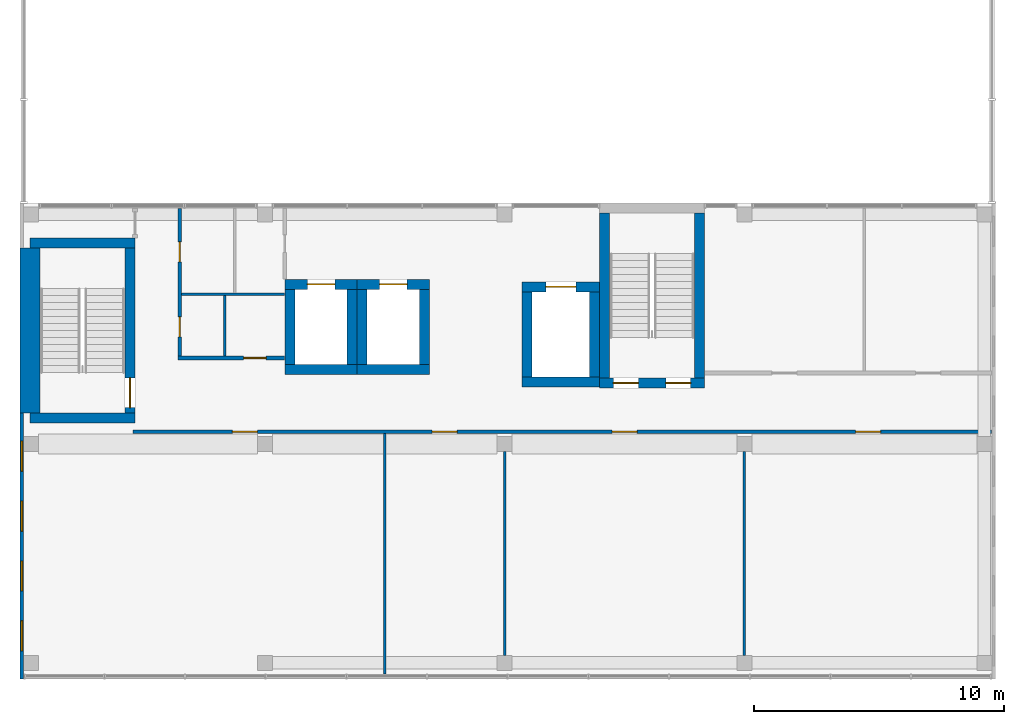
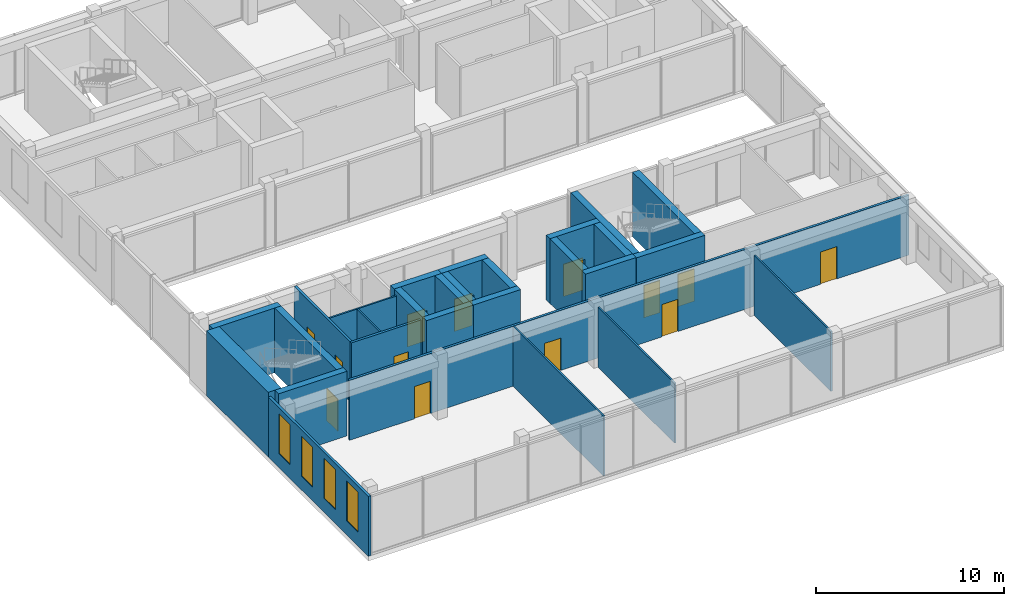
# One storey, part 19 of 28: 28 walls, 13 doors, 4 windows, 17 openings.
"""IFC4 building model written with IfcOpenShell, lengths in metres."""

import ifcopenshell
import ifcopenshell.guid

model = None  # the IFC model being written
_history = None  # IfcOwnerHistory: only IFC2X3 demands one
_inside = {}  # id of a spatial element -> (the spatial element, [elements in it])
_under = {}  # id of a project, library or spatial element -> (it, [spatial elements below it])
_declared = {}  # id of a project -> (the project, [libraries it declares])
_typed = {}  # id of a type object -> (the type object, [elements of that type])
_made_of = {}  # id of a material, layer set ... -> (it, [elements and type objects made of it])


def new_model(schema):
    """Start an empty IFC model of exactly this schema.

    Asked for "IFC4X3", IfcOpenShell would pick the latest addendum, in which some entities
    have other attributes; the version numbers below select the first issue.
    IFC2X3 requires an IfcOwnerHistory on every rooted entity: one is made here for all.
    """
    global model, _history
    if schema == "IFC4X3":
        model = ifcopenshell.file(schema_version=(4, 3, 0, 0))
    else:
        model = ifcopenshell.file(schema=schema)
    _inside.clear()
    _under.clear()
    _declared.clear()
    _typed.clear()
    _made_of.clear()
    _history = None
    if model.schema == "IFC2X3":
        org = make("IfcOrganization", Name="unknown")
        user = make(
            "IfcPersonAndOrganization",
            ThePerson=make("IfcPerson", FamilyName="unknown"),
            TheOrganization=org,
        )
        app = make(
            "IfcApplication",
            ApplicationDeveloper=org,
            Version="unknown",
            ApplicationFullName="unknown",
            ApplicationIdentifier="unknown",
        )
        _history = make(
            "IfcOwnerHistory",
            OwningUser=user,
            OwningApplication=app,
            ChangeAction="ADDED",
            CreationDate=0,
        )
    return model


def make(cls, **values):
    """One entity of the class cls with the attributes given. An attribute that is None is left unset."""
    return model.create_entity(
        cls, **{name: value for name, value in values.items() if value is not None}
    )


def rooted(cls, **values):
    """An entity with a GlobalId (a new one), such as an element, a storey or a relation."""
    return make(cls, GlobalId=ifcopenshell.guid.new(), OwnerHistory=_history, **values)


def si_unit(unit_type, name, prefix=None):
    """IfcSIUnit, for example si_unit("LENGTHUNIT", "METRE", prefix="MILLI")."""
    return make("IfcSIUnit", UnitType=unit_type, Prefix=prefix, Name=name)


def assignment(units):
    """IfcUnitAssignment: the units of a project."""
    return None if units is None else make("IfcUnitAssignment", Units=units)


def point(xyz):
    """IfcCartesianPoint."""
    return None if xyz is None else make("IfcCartesianPoint", Coordinates=xyz)


def direction(xyz):
    """IfcDirection."""
    return None if xyz is None else make("IfcDirection", DirectionRatios=xyz)


def frame(location, z_axis=None, x_axis=None):
    """IfcAxis2Placement3D, a coordinate frame: its origin and axes. An axis left out is left unset."""
    return make(
        "IfcAxis2Placement3D",
        Location=point(location),
        Axis=direction(z_axis),
        RefDirection=direction(x_axis),
    )


def frame_2d(location, x_axis=None):
    """IfcAxis2Placement2D, a coordinate frame in the plane: its origin and x axis."""
    return make(
        "IfcAxis2Placement2D", Location=point(location), RefDirection=direction(x_axis)
    )


def origin():
    """The frame at (0, 0, 0) with its axes left unset."""
    return frame((0.0, 0.0, 0.0))


def place(relative_to, where):
    """IfcLocalPlacement: puts the frame where relative to a parent placement (None: the world)."""
    return make(
        "IfcLocalPlacement", PlacementRelTo=relative_to, RelativePlacement=where
    )


def context(
    kind, dimensions, precision=None, world=None, true_north=None, identifier=None
):
    """IfcGeometricRepresentationContext, for example the 3D "Model" context."""
    return make(
        "IfcGeometricRepresentationContext",
        ContextIdentifier=identifier,
        ContextType=kind,
        CoordinateSpaceDimension=dimensions,
        Precision=precision,
        WorldCoordinateSystem=world,
        TrueNorth=true_north,
    )


def subcontext(parent, identifier, kind, view, scale=None):
    """IfcGeometricRepresentationSubContext, for example "Body" below "Model"."""
    return make(
        "IfcGeometricRepresentationSubContext",
        ContextIdentifier=identifier,
        ContextType=kind,
        ParentContext=parent,
        TargetScale=scale,
        TargetView=view,
    )


def project(units=None, contexts=None):
    """IfcProject with its units and contexts."""
    return rooted(
        "IfcProject",
        Name="project",
        RepresentationContexts=contexts,
        UnitsInContext=assignment(units),
    )


def spatial(cls, under=None, at=None, **own):
    """A site, building, storey or space (cls), placed at a placement, below another one or the project."""
    s = rooted(cls, ObjectPlacement=at, **own)
    if under is not None:
        _under.setdefault(under.id(), (under, []))[1].append(s)
    return s


def profile(cls, at=None, kind="AREA", **sizes):
    """A parametric profile (cls). Its sizes go by their IFC names, for example OverallWidth=200.0."""
    return make(cls, ProfileType=kind, Position=at, **sizes)


def rectangle(**sizes):
    """IfcRectangleProfileDef."""
    return profile("IfcRectangleProfileDef", **sizes)


def extrude(swept, where, along, depth):
    """IfcExtrudedAreaSolid: the profile swept, set in the frame where, extruded along a direction by depth."""
    return make(
        "IfcExtrudedAreaSolid",
        SweptArea=swept,
        Position=where,
        ExtrudedDirection=direction(along),
        Depth=depth,
    )


def shape(context_of_items, identifier, shape_type, items):
    """IfcShapeRepresentation: the items that make up one representation, for example the "Body"."""
    return make(
        "IfcShapeRepresentation",
        ContextOfItems=context_of_items,
        RepresentationIdentifier=identifier,
        RepresentationType=shape_type,
        Items=items,
    )


def material(Name=None, Category=None):
    """IfcMaterial."""
    return make("IfcMaterial", Name=Name, Category=Category)


def layer(
    of_material, thickness, ventilated=None, Name=None, Category=None, Priority=None
):
    """IfcMaterialLayer: one layer of a wall or slab, of a material (None: an air gap)."""
    return make(
        "IfcMaterialLayer",
        Material=of_material,
        LayerThickness=thickness,
        IsVentilated=ventilated,
        Name=Name,
        Category=Category,
        Priority=Priority,
    )


def layer_set(layers, Name=None):
    """IfcMaterialLayerSet."""
    return make("IfcMaterialLayerSet", MaterialLayers=layers, LayerSetName=Name)


def layer_usage(for_layer_set, set_direction, sense, offset, extent=None):
    """IfcMaterialLayerSetUsage: how a layer set lies in its element."""
    return make(
        "IfcMaterialLayerSetUsage",
        ForLayerSet=for_layer_set,
        LayerSetDirection=set_direction,
        DirectionSense=sense,
        OffsetFromReferenceLine=offset,
        ReferenceExtent=extent,
    )


def made_of(thing, what):
    """Note that an element or type object is made of a material, layer set ...; save() writes the relation."""
    if what is not None:
        _made_of.setdefault(what.id(), (what, []))[1].append(thing)
    return thing


def type_object(cls, material=None, **own):
    """A type object (cls), such as IfcWallType, which elements share."""
    return made_of(rooted(cls, **own), material)


def element(
    cls,
    number,
    at=None,
    inside=None,
    cuts=None,
    type_object=None,
    material=None,
    context=None,
    identifier="Body",
    shape_type=None,
    held_by="IfcProductDefinitionShape",
    body=None,
    shapes=None,
    **own,
):
    """One element of the class cls, such as IfcWall. Its Tag is "e" and its number.

    at: its placement. inside: the storey or other place that contains it. cuts: it is an
    opening in that element (IfcRelVoidsElement). A single representation is given by context,
    identifier, shape_type and body (its items); several are given by shapes. held_by: the class
    of the entity that holds the representations. save() writes the other relations.
    """
    e = rooted(cls, Tag="e%d" % number, ObjectPlacement=at, **own)
    if body is not None:
        shapes = [shape(context, identifier, shape_type, body)]
    if shapes is not None:
        e.Representation = make(held_by, Representations=shapes)
    if inside is not None:
        _inside.setdefault(inside.id(), (inside, []))[1].append(e)
    if cuts is not None:
        rooted(
            "IfcRelVoidsElement", RelatingBuildingElement=cuts, RelatedOpeningElement=e
        )
    if type_object is not None:
        _typed.setdefault(type_object.id(), (type_object, []))[1].append(e)
    return made_of(e, material)


def fill(opening, filler):
    """IfcRelFillsElement: the door or window that sits in an opening."""
    return rooted(
        "IfcRelFillsElement",
        RelatingOpeningElement=opening,
        RelatedBuildingElement=filler,
    )


def aggregate(whole, parts):
    """IfcRelAggregates: a whole, such as a stair, and the parts it consists of."""
    return rooted("IfcRelAggregates", RelatingObject=whole, RelatedObjects=parts)


def save(model, path):
    """Write the relations noted so far, then the file.

    IfcRelAggregates (storeys below a building ...), IfcRelContainedInSpatialStructure (elements
    in a storey), IfcRelDefinesByType, IfcRelAssociatesMaterial and IfcRelDeclares: one each for
    every whole, place, type object, material and project.
    """
    for whole, parts in _under.values():
        aggregate(whole, parts)
    for where, things in _inside.values():
        rooted(
            "IfcRelContainedInSpatialStructure",
            RelatedElements=things,
            RelatingStructure=where,
        )
    for kind, things in _typed.values():
        rooted("IfcRelDefinesByType", RelatedObjects=things, RelatingType=kind)
    for what, things in _made_of.values():
        rooted("IfcRelAssociatesMaterial", RelatedObjects=things, RelatingMaterial=what)
    for by, libraries in _declared.values():
        rooted("IfcRelDeclares", RelatingContext=by, RelatedDefinitions=libraries)
    model.write(path)


model = new_model("IFC4")

# Units and contexts
model_context = context("Model", 3, precision=1e-05, world=origin(), true_north=direction((0.0, 1.0)))
body_context = subcontext(model_context, "Body", "Model", "MODEL_VIEW")
ifc_project = project(units=[si_unit("LENGTHUNIT", "METRE"), si_unit("AREAUNIT", "SQUARE_METRE"), si_unit("VOLUMEUNIT", "CUBIC_METRE"), si_unit("PLANEANGLEUNIT", "RADIAN"), si_unit("MASSUNIT", "GRAM", prefix="KILO")], contexts=[model_context])

# Site, building, storey
site_placement = place(None, origin())
site = spatial("IfcSite", under=ifc_project, at=site_placement, CompositionType="ELEMENT")
building_placement = place(site_placement, origin())
building = spatial("IfcBuilding", under=site, at=building_placement, Name="Nzadi Deep Aquarium and Research Tower", CompositionType="ELEMENT")
storey_placement = place(building_placement, frame((0.0, 0.0, 73.89990234375)))
storey = spatial("IfcBuildingStorey", under=building, at=storey_placement, Name="L15", CompositionType="ELEMENT", Elevation=73.89990234375)

# Wall, openings, windows
ifc_material_1 = material(Name="Graphite aluminium shingle", Category="aluminium")
ifc_layer_1 = layer(ifc_material_1, 0.0400390625, Category="cladding")
ifc_material_2 = material(Name="Concrete C35/45", Category="concrete")
ifc_layer_2 = layer(ifc_material_2, 0.06005859375, Category="cladding")
ifc_material_3 = material(Name="Mineral wool insulation")
ifc_layer_3 = layer(ifc_material_3, 0.050048828125, Category="insulation")
ifc_layer_set_1 = layer_set([ifc_layer_1, ifc_layer_2, ifc_layer_3], Name="Graphite aluminium shingle, Concrete C35/45, Mineral wool insulation")
ifc_layer_usage = layer_usage(ifc_layer_set_1, "AXIS2", "POSITIVE", -0.074951171875)
wall_type_1 = type_object("IfcWallType", Name="End wall shingle over board-formed concrete 150", PredefinedType="ELEMENTEDWALL", material=ifc_layer_set_1)
wall_1_placement = place(storey_placement, frame((-0.12451171875, 10.449951171875, 0.0), z_axis=(0.0, 0.0, 1.0), x_axis=(0.0, -1.0, 0.0)))
wall_1 = element("IfcWall", 1, at=wall_1_placement, inside=storey, type_object=wall_type_1, material=ifc_layer_usage, Name="End wall blade A west L15", PredefinedType="ELEMENTEDWALL", context=body_context, shape_type="SweptSolid", body=[
    extrude(rectangle(XDim=10.64990234375, YDim=0.14990234375, at=frame_2d((5.324951171875, 0.0))), origin(), (0.0, 0.0, 1.0), 3.900146484375),
])
opening_1_placement = place(wall_1_placement, frame((8.324951171875, 0.0, 0.89990234375)))
opening_1 = element("IfcOpeningElement", 2, at=opening_1_placement, cuts=wall_1, Name="Opening WN04", PredefinedType="OPENING", context=body_context, shape_type="SweptSolid", body=[
    extrude(rectangle(XDim=1.199951171875, YDim=2.60009765625, at=frame_2d((0.60009765625, 1.300048828125))), frame((0.0, 0.0849609375, 0.0), z_axis=(0.0, -1.0, 0.0), x_axis=(1.0, 0.0, 0.0)), (0.0, 0.0, 1.0), 0.169921875),
])
opening_2_placement = place(wall_1_placement, frame((5.925048828125, 0.0, 0.89990234375)))
opening_2 = element("IfcOpeningElement", 3, at=opening_2_placement, cuts=wall_1, Name="Opening WN04", PredefinedType="OPENING", context=body_context, shape_type="SweptSolid", body=[
    extrude(rectangle(XDim=1.199951171875, YDim=2.60009765625, at=frame_2d((0.60009765625, 1.300048828125))), frame((0.0, 0.0849609375, 0.0), z_axis=(0.0, -1.0, 0.0), x_axis=(1.0, 0.0, 0.0)), (0.0, 0.0, 1.0), 0.169921875),
])
opening_3_placement = place(wall_1_placement, frame((3.52490234375, 0.0, 0.89990234375)))
opening_3 = element("IfcOpeningElement", 4, at=opening_3_placement, cuts=wall_1, Name="Opening WN04", PredefinedType="OPENING", context=body_context, shape_type="SweptSolid", body=[
    extrude(rectangle(XDim=1.199951171875, YDim=2.60009765625, at=frame_2d((0.60009765625, 1.300048828125))), frame((0.0, 0.0849609375, 0.0), z_axis=(0.0, -1.0, 0.0), x_axis=(1.0, 0.0, 0.0)), (0.0, 0.0, 1.0), 0.169921875),
])
opening_4_placement = place(wall_1_placement, frame((1.125, 0.0, 0.89990234375)))
opening_4 = element("IfcOpeningElement", 5, at=opening_4_placement, cuts=wall_1, Name="Opening WN04", PredefinedType="OPENING", context=body_context, shape_type="SweptSolid", body=[
    extrude(rectangle(XDim=1.199951171875, YDim=2.60009765625, at=frame_2d((0.60009765625, 1.300048828125))), frame((0.0, 0.0849609375, 0.0), z_axis=(0.0, -1.0, 0.0), x_axis=(1.0, 0.0, 0.0)), (0.0, 0.0, 1.0), 0.169921875),
])
ifc_material_4 = material(Name="Aluminium window, sage tint glazing", Category="aluminium")
window_type = type_object("IfcWindowType", Name="Slot window 1200x2600 sill 900", PartitioningType="SINGLE_PANEL", PredefinedType="WINDOW", material=ifc_material_4)
window_1_placement = place(opening_1_placement, origin())
window_1 = element("IfcWindow", 6, at=window_1_placement, inside=storey, type_object=window_type, Name="Slot window L15 AW", OverallHeight=2.60009765625, OverallWidth=1.199951171875, PartitioningType="SINGLE_PANEL", PredefinedType="WINDOW", context=body_context, shape_type="SweptSolid", body=[
    extrude(rectangle(XDim=1.199951171875, YDim=2.60009765625, at=frame_2d((0.60009765625, 1.300048828125))), frame((0.0, 0.030029296875, 0.0), z_axis=(0.0, -1.0, 0.0), x_axis=(1.0, 0.0, 0.0)), (0.0, 0.0, 1.0), 0.06005859375),
])
fill(opening_1, window_1)
window_2_placement = place(opening_2_placement, origin())
window_2 = element("IfcWindow", 7, at=window_2_placement, inside=storey, type_object=window_type, Name="Slot window L15 AW", OverallHeight=2.60009765625, OverallWidth=1.199951171875, PartitioningType="SINGLE_PANEL", PredefinedType="WINDOW", context=body_context, shape_type="SweptSolid", body=[
    extrude(rectangle(XDim=1.199951171875, YDim=2.60009765625, at=frame_2d((0.60009765625, 1.300048828125))), frame((0.0, 0.030029296875, 0.0), z_axis=(0.0, -1.0, 0.0), x_axis=(1.0, 0.0, 0.0)), (0.0, 0.0, 1.0), 0.06005859375),
])
fill(opening_2, window_2)
window_3_placement = place(opening_3_placement, origin())
window_3 = element("IfcWindow", 8, at=window_3_placement, inside=storey, type_object=window_type, Name="Slot window L15 AW", OverallHeight=2.60009765625, OverallWidth=1.199951171875, PartitioningType="SINGLE_PANEL", PredefinedType="WINDOW", context=body_context, shape_type="SweptSolid", body=[
    extrude(rectangle(XDim=1.199951171875, YDim=2.60009765625, at=frame_2d((0.60009765625, 1.300048828125))), frame((0.0, 0.030029296875, 0.0), z_axis=(0.0, -1.0, 0.0), x_axis=(1.0, 0.0, 0.0)), (0.0, 0.0, 1.0), 0.06005859375),
])
fill(opening_3, window_3)
window_4_placement = place(opening_4_placement, origin())
window_4 = element("IfcWindow", 9, at=window_4_placement, inside=storey, type_object=window_type, Name="Slot window L15 AW", OverallHeight=2.60009765625, OverallWidth=1.199951171875, PartitioningType="SINGLE_PANEL", PredefinedType="WINDOW", context=body_context, shape_type="SweptSolid", body=[
    extrude(rectangle(XDim=1.199951171875, YDim=2.60009765625, at=frame_2d((0.60009765625, 1.300048828125))), frame((0.0, 0.030029296875, 0.0), z_axis=(0.0, -1.0, 0.0), x_axis=(1.0, 0.0, 0.0)), (0.0, 0.0, 1.0), 0.06005859375),
])
fill(opening_4, window_4)

# Walls
ifc_material_5 = material(Name="Blockwork masonry", Category="masonry")
ifc_layer_4 = layer(ifc_material_5, 0.10009765625)
ifc_layer_set_2 = layer_set([ifc_layer_4], Name="Blockwork masonry")
wall_type_2 = type_object("IfcWallType", Name="Partition 100 EI 30", PredefinedType="PARTITIONING", material=ifc_layer_set_2)
wall_2_placement = place(storey_placement, frame((6.27490234375, 15.199951171875, 0.0), z_axis=(0.0, 0.0, 1.0), x_axis=(1.0, 0.0, 0.0)))
element("IfcWall", 10, at=wall_2_placement, inside=storey, type_object=wall_type_2, Name="W-Z1-L15-P010", PredefinedType="PARTITIONING", context=body_context, shape_type="SweptSolid", body=[
    extrude(rectangle(XDim=4.119140625, YDim=0.10009765625, at=frame_2d((2.0595703125, 0.0))), origin(), (0.0, 0.0, 1.0), 3.900146484375),
])
wall_3_placement = place(storey_placement, frame((8.0, 12.72509765625, 0.0), z_axis=(0.0, 0.0, 1.0), x_axis=(0.0, 1.0, 0.0)))
element("IfcWall", 11, at=wall_3_placement, inside=storey, type_object=wall_type_2, Name="W-Z1-L15-P012", PredefinedType="PARTITIONING", context=body_context, shape_type="SweptSolid", body=[
    extrude(rectangle(XDim=2.4248046875, YDim=0.10009765625, at=frame_2d((1.21240234375, 0.0))), origin(), (0.0, 0.0, 1.0), 3.900146484375),
])
wall_4_placement = place(storey_placement, frame((14.39990234375, 0.006103515625, 0.0), z_axis=(0.0, 0.0, 1.0), x_axis=(0.0, 1.0, 0.0)))
element("IfcWall", 12, at=wall_4_placement, inside=storey, type_object=wall_type_2, Name="W-Z1-L15-P023", PredefinedType="PARTITIONING", context=body_context, shape_type="SweptSolid", body=[
    extrude(rectangle(XDim=9.618896484375, YDim=0.10009765625, at=frame_2d((4.8095703125, 0.0))), origin(), (0.0, 0.0, 1.0), 3.900146484375),
])
for number, where, z_axis, x_axis, name in (
    (13, (19.199951171875, 0.75, 0.0), (0.0, 0.0, 1.0), (0.0, 1.0, 0.0), "W-Z1-L15-P025"),
    (14, (28.800048828125, 0.75, 0.0), (0.0, 0.0, 1.0), (0.0, 1.0, 0.0), "W-Z1-L15-P035"),
):
    element("IfcWall", number, at=place(storey_placement, frame(where, z_axis=z_axis, x_axis=x_axis)), inside=storey, type_object=wall_type_2, Name=name, PredefinedType="PARTITIONING", context=body_context, shape_type="SweptSolid", body=[
        extrude(rectangle(XDim=8.14990234375, YDim=0.10009765625, at=frame_2d((4.074951171875, 0.0))), origin(), (0.0, 0.0, 1.0), 3.900146484375),
    ])

# Wall, openings, doors
ifc_material_6 = material(Name="Blockwork masonry", Category="masonry")
ifc_layer_5 = layer(ifc_material_6, 0.14990234375)
ifc_layer_set_3 = layer_set([ifc_layer_5], Name="Blockwork masonry")
wall_type_3 = type_object("IfcWallType", Name="Partition 150 EI 60", PredefinedType="PARTITIONING", material=ifc_layer_set_3)
wall_5_placement = place(storey_placement, frame((4.324951171875, 9.699951171875, 0.0), z_axis=(0.0, 0.0, 1.0), x_axis=(1.0, 0.0, 0.0)))
wall_5 = element("IfcWall", 15, at=wall_5_placement, inside=storey, type_object=wall_type_3, Name="W-Z1-L15-P006", PredefinedType="PARTITIONING", context=body_context, shape_type="SweptSolid", body=[
    extrude(rectangle(XDim=34.369140625, YDim=0.14990234375, at=frame_2d((17.1845703125, 0.0))), origin(), (0.0, 0.0, 1.0), 3.900146484375),
])
opening_5_placement = place(wall_5_placement, frame((3.97509765625, 0.0, 0.0)))
opening_5 = element("IfcOpeningElement", 16, at=opening_5_placement, cuts=wall_5, Name="Opening D161006", PredefinedType="OPENING", context=body_context, shape_type="SweptSolid", body=[
    extrude(rectangle(XDim=1.0, YDim=2.10009765625, at=frame_2d((0.5, 1.050048828125))), frame((0.0, 0.0849609375, 0.0), z_axis=(0.0, -1.0, 0.0), x_axis=(1.0, 0.0, 0.0)), (0.0, 0.0, 1.0), 0.169921875),
])
opening_6_placement = place(wall_5_placement, frame((11.97509765625, 0.0, 0.0)))
opening_6 = element("IfcOpeningElement", 17, at=opening_6_placement, cuts=wall_5, Name="Opening D161007", PredefinedType="OPENING", context=body_context, shape_type="SweptSolid", body=[
    extrude(rectangle(XDim=1.0, YDim=2.10009765625, at=frame_2d((0.5, 1.050048828125))), frame((0.0, 0.0849609375, 0.0), z_axis=(0.0, -1.0, 0.0), x_axis=(1.0, 0.0, 0.0)), (0.0, 0.0, 1.0), 0.169921875),
])
opening_7_placement = place(wall_5_placement, frame((19.175048828125, 0.0, 0.0)))
opening_7 = element("IfcOpeningElement", 18, at=opening_7_placement, cuts=wall_5, Name="Opening D161008", PredefinedType="OPENING", context=body_context, shape_type="SweptSolid", body=[
    extrude(rectangle(XDim=1.0, YDim=2.10009765625, at=frame_2d((0.5, 1.050048828125))), frame((0.0, 0.0849609375, 0.0), z_axis=(0.0, -1.0, 0.0), x_axis=(1.0, 0.0, 0.0)), (0.0, 0.0, 1.0), 0.169921875),
])
opening_8_placement = place(wall_5_placement, frame((28.925048828125, 0.0, 0.0)))
opening_8 = element("IfcOpeningElement", 19, at=opening_8_placement, cuts=wall_5, Name="Opening D161009", PredefinedType="OPENING", context=body_context, shape_type="SweptSolid", body=[
    extrude(rectangle(XDim=1.0, YDim=2.10009765625, at=frame_2d((0.5, 1.050048828125))), frame((0.0, 0.0849609375, 0.0), z_axis=(0.0, -1.0, 0.0), x_axis=(1.0, 0.0, 0.0)), (0.0, 0.0, 1.0), 0.169921875),
])
ifc_material_7 = material(Name="Fire-rated steel door", Category="steel")
ifc_layer_6 = layer(ifc_material_7, 0.050048828125)
ifc_layer_set_4 = layer_set([ifc_layer_6], Name="Fire-rated steel door")
door_type_1 = type_object("IfcDoorType", Name="Door 1000x2100 EI 60 single", OperationType="SINGLE_SWING_LEFT", PredefinedType="DOOR", material=ifc_layer_set_4)
door_1_placement = place(opening_5_placement, origin())
door_1 = element("IfcDoor", 20, at=door_1_placement, inside=storey, type_object=door_type_1, Name="D161006", OperationType="SINGLE_SWING_RIGHT", OverallHeight=2.10009765625, OverallWidth=1.0, PredefinedType="DOOR", context=body_context, shape_type="SweptSolid", body=[
    extrude(rectangle(XDim=1.0, YDim=2.10009765625, at=frame_2d((0.5, 1.050048828125))), frame((0.0, 0.02490234375, 0.0), z_axis=(0.0, -1.0, 0.0), x_axis=(1.0, 0.0, 0.0)), (0.0, 0.0, 1.0), 0.050048828125),
])
fill(opening_5, door_1)
door_2_placement = place(opening_6_placement, origin())
door_2 = element("IfcDoor", 21, at=door_2_placement, inside=storey, type_object=door_type_1, Name="D161007", OperationType="SINGLE_SWING_RIGHT", OverallHeight=2.10009765625, OverallWidth=1.0, PredefinedType="DOOR", context=body_context, shape_type="SweptSolid", body=[
    extrude(rectangle(XDim=1.0, YDim=2.10009765625, at=frame_2d((0.5, 1.050048828125))), frame((0.0, 0.02490234375, 0.0), z_axis=(0.0, -1.0, 0.0), x_axis=(1.0, 0.0, 0.0)), (0.0, 0.0, 1.0), 0.050048828125),
])
fill(opening_6, door_2)
door_3_placement = place(opening_7_placement, origin())
door_3 = element("IfcDoor", 22, at=door_3_placement, inside=storey, type_object=door_type_1, Name="D161008", OperationType="SINGLE_SWING_LEFT", OverallHeight=2.10009765625, OverallWidth=1.0, PredefinedType="DOOR", context=body_context, shape_type="SweptSolid", body=[
    extrude(rectangle(XDim=1.0, YDim=2.10009765625, at=frame_2d((0.5, 1.050048828125))), frame((0.0, 0.02490234375, 0.0), z_axis=(0.0, -1.0, 0.0), x_axis=(1.0, 0.0, 0.0)), (0.0, 0.0, 1.0), 0.050048828125),
])
fill(opening_7, door_3)
door_4_placement = place(opening_8_placement, origin())
door_4 = element("IfcDoor", 23, at=door_4_placement, inside=storey, type_object=door_type_1, Name="D161009", OperationType="SINGLE_SWING_LEFT", OverallHeight=2.10009765625, OverallWidth=1.0, PredefinedType="DOOR", context=body_context, shape_type="SweptSolid", body=[
    extrude(rectangle(XDim=1.0, YDim=2.10009765625, at=frame_2d((0.5, 1.050048828125))), frame((0.0, 0.02490234375, 0.0), z_axis=(0.0, -1.0, 0.0), x_axis=(1.0, 0.0, 0.0)), (0.0, 0.0, 1.0), 0.050048828125),
])
fill(opening_8, door_4)

# Wall, opening, door
wall_6_placement = place(storey_placement, frame((6.125, 12.64990234375, 0.0), z_axis=(0.0, 0.0, 1.0), x_axis=(1.0, 0.0, 0.0)))
wall_6 = element("IfcWall", 24, at=wall_6_placement, inside=storey, type_object=wall_type_3, Name="W-Z1-L15-P008", PredefinedType="PARTITIONING", context=body_context, shape_type="SweptSolid", body=[
    extrude(rectangle(XDim=4.26904296875, YDim=0.14990234375, at=frame_2d((2.134521484375, 0.0))), origin(), (0.0, 0.0, 1.0), 3.900146484375),
])
opening_9_placement = place(wall_6_placement, frame((2.625, 0.0, 0.0)))
opening_9 = element("IfcOpeningElement", 25, at=opening_9_placement, cuts=wall_6, Name="Opening D161003", PredefinedType="OPENING", context=body_context, shape_type="SweptSolid", body=[
    extrude(rectangle(XDim=0.89990234375, YDim=2.10009765625, at=frame_2d((0.449951171875, 1.050048828125))), frame((0.0, 0.0849609375, 0.0), z_axis=(0.0, -1.0, 0.0), x_axis=(1.0, 0.0, 0.0)), (0.0, 0.0, 1.0), 0.169921875),
])
ifc_material_8 = material(Name="Fire-rated steel door", Category="steel")
ifc_layer_7 = layer(ifc_material_8, 0.050048828125)
ifc_layer_set_5 = layer_set([ifc_layer_7], Name="Fire-rated steel door")
door_type_2 = type_object("IfcDoorType", Name="Door 900x2100 EI 60 single", OperationType="SINGLE_SWING_LEFT", PredefinedType="DOOR", material=ifc_layer_set_5)
door_5_placement = place(opening_9_placement, origin())
door_5 = element("IfcDoor", 26, at=door_5_placement, inside=storey, type_object=door_type_2, Name="D161003", OperationType="SINGLE_SWING_RIGHT", OverallHeight=2.10009765625, OverallWidth=0.89990234375, PredefinedType="DOOR", context=body_context, shape_type="SweptSolid", body=[
    extrude(rectangle(XDim=0.89990234375, YDim=2.10009765625, at=frame_2d((0.449951171875, 1.050048828125))), frame((0.0, 0.02490234375, 0.0), z_axis=(0.0, -1.0, 0.0), x_axis=(1.0, 0.0, 0.0)), (0.0, 0.0, 1.0), 0.050048828125),
])
fill(opening_9, door_5)

# Wall, openings, doors
wall_7_placement = place(storey_placement, frame((6.199951171875, 12.72509765625, 0.0), z_axis=(0.0, 0.0, 1.0), x_axis=(0.0, 1.0, 0.0)))
wall_7 = element("IfcWall", 27, at=wall_7_placement, inside=storey, type_object=wall_type_3, Name="W-Z1-L15-P009", PredefinedType="PARTITIONING", context=body_context, shape_type="SweptSolid", body=[
    extrude(rectangle(XDim=5.9189453125, YDim=0.14990234375, at=frame_2d((2.95947265625, 0.0))), origin(), (0.0, 0.0, 1.0), 3.900146484375),
])
opening_10_placement = place(wall_7_placement, frame((0.77490234375, 0.0, 0.0)))
opening_10 = element("IfcOpeningElement", 28, at=opening_10_placement, cuts=wall_7, Name="Opening D161002", PredefinedType="OPENING", context=body_context, shape_type="SweptSolid", body=[
    extrude(rectangle(XDim=0.800048828125, YDim=2.10009765625, at=frame_2d((0.39990234375, 1.050048828125))), frame((0.0, 0.0849609375, 0.0), z_axis=(0.0, -1.0, 0.0), x_axis=(1.0, 0.0, 0.0)), (0.0, 0.0, 1.0), 0.169921875),
])
opening_11_placement = place(wall_7_placement, frame((3.77490234375, 0.0, 0.0)))
opening_11 = element("IfcOpeningElement", 29, at=opening_11_placement, cuts=wall_7, Name="Opening D161004", PredefinedType="OPENING", context=body_context, shape_type="SweptSolid", body=[
    extrude(rectangle(XDim=0.800048828125, YDim=2.10009765625, at=frame_2d((0.39990234375, 1.050048828125))), frame((0.0, 0.0849609375, 0.0), z_axis=(0.0, -1.0, 0.0), x_axis=(1.0, 0.0, 0.0)), (0.0, 0.0, 1.0), 0.169921875),
])
ifc_material_9 = material(Name="Fire-rated steel door", Category="steel")
ifc_layer_8 = layer(ifc_material_9, 0.050048828125)
ifc_layer_set_6 = layer_set([ifc_layer_8], Name="Fire-rated steel door")
door_type_3 = type_object("IfcDoorType", Name="Door 800x2100 EI 60 single", OperationType="SINGLE_SWING_LEFT", PredefinedType="DOOR", material=ifc_layer_set_6)
door_6_placement = place(opening_10_placement, origin())
door_6 = element("IfcDoor", 30, at=door_6_placement, inside=storey, type_object=door_type_3, Name="D161002", OperationType="SINGLE_SWING_LEFT", OverallHeight=2.10009765625, OverallWidth=0.800048828125, PredefinedType="DOOR", context=body_context, shape_type="SweptSolid", body=[
    extrude(rectangle(XDim=0.800048828125, YDim=2.10009765625, at=frame_2d((0.39990234375, 1.050048828125))), frame((0.0, 0.02490234375, 0.0), z_axis=(0.0, -1.0, 0.0), x_axis=(1.0, 0.0, 0.0)), (0.0, 0.0, 1.0), 0.050048828125),
])
fill(opening_10, door_6)
door_7_placement = place(opening_11_placement, origin())
door_7 = element("IfcDoor", 31, at=door_7_placement, inside=storey, type_object=door_type_3, Name="D161004", OperationType="SINGLE_SWING_LEFT", OverallHeight=2.10009765625, OverallWidth=0.800048828125, PredefinedType="DOOR", context=body_context, shape_type="SweptSolid", body=[
    extrude(rectangle(XDim=0.800048828125, YDim=2.10009765625, at=frame_2d((0.39990234375, 1.050048828125))), frame((0.0, 0.02490234375, 0.0), z_axis=(0.0, -1.0, 0.0), x_axis=(1.0, 0.0, 0.0)), (0.0, 0.0, 1.0), 0.050048828125),
])
fill(opening_11, door_7)

# Walls
ifc_material_10 = material(Name="Concrete C35/45", Category="concrete")
ifc_layer_9 = layer(ifc_material_10, 0.39990234375)
ifc_layer_set_7 = layer_set([ifc_layer_9], Name="Concrete C35/45")
wall_type_4 = type_object("IfcWallType", Name="RC core wall 400", PredefinedType="SHEAR", material=ifc_layer_set_7)
for number, where, z_axis, x_axis, name in (
    (32, (0.199951171875, 10.25, 0.0), (0.0, 0.0, 1.0), (1.0, 0.0, 0.0), "W-CORE-ST-Z1-SW-L15-S"),
    (33, (0.199951171875, 17.25, 0.0), (0.0, 0.0, 1.0), (1.0, 0.0, 0.0), "W-CORE-ST-Z1-SW-L15-N"),
):
    element("IfcWall", number, at=place(storey_placement, frame(where, z_axis=z_axis, x_axis=x_axis)), inside=storey, type_object=wall_type_4, Name=name, PredefinedType="SHEAR", context=body_context, shape_type="SweptSolid", body=[
        extrude(rectangle(XDim=4.199951171875, YDim=0.39990234375, at=frame_2d((2.10009765625, 0.0))), origin(), (0.0, 0.0, 1.0), 4.2001953125),
    ])

# Wall, opening, door
wall_8_placement = place(storey_placement, frame((4.199951171875, 10.449951171875, 0.0), z_axis=(0.0, 0.0, 1.0), x_axis=(0.0, 1.0, 0.0)))
wall_8 = element("IfcWall", 34, at=wall_8_placement, inside=storey, type_object=wall_type_4, Name="W-CORE-ST-Z1-SW-L15-E", PredefinedType="SHEAR", context=body_context, shape_type="SweptSolid", body=[
    extrude(rectangle(XDim=6.60009765625, YDim=0.39990234375, at=frame_2d((3.300048828125, 0.0))), origin(), (0.0, 0.0, 1.0), 4.2001953125),
])
opening_12_placement = place(wall_8_placement, frame((0.2099609375, 0.0, 0.0)))
opening_12 = element("IfcOpeningElement", 35, at=opening_12_placement, cuts=wall_8, Name="Opening DS-Z1-SW-L15", PredefinedType="OPENING", context=body_context, shape_type="SweptSolid", body=[
    extrude(rectangle(XDim=1.199951171875, YDim=2.10009765625, at=frame_2d((0.60009765625, 1.050048828125))), frame((0.0, 0.2099609375, 0.0), z_axis=(0.0, -1.0, 0.0), x_axis=(1.0, 0.0, 0.0)), (0.0, 0.0, 1.0), 0.419921875),
])
ifc_material_11 = material(Name="Steel, powder coated", Category="steel")
door_type_4 = type_object("IfcDoorType", Name="STAIR DOOR 1200x2100 EI 60", OperationType="SINGLE_SWING_LEFT", PredefinedType="DOOR", material=ifc_material_11)
door_8_placement = place(opening_12_placement, origin())
door_8 = element("IfcDoor", 36, at=door_8_placement, inside=storey, type_object=door_type_4, Name="Stair door ST-Z1-SW L15", OperationType="SINGLE_SWING_RIGHT", OverallHeight=2.10009765625, OverallWidth=1.199951171875, PredefinedType="DOOR", context=body_context, shape_type="SweptSolid", body=[
    extrude(rectangle(XDim=1.199951171875, YDim=2.10009765625, at=frame_2d((0.60009765625, 1.050048828125))), frame((0.0, 0.02490234375, 0.0), z_axis=(0.0, -1.0, 0.0), x_axis=(1.0, 0.0, 0.0)), (0.0, 0.0, 1.0), 0.050048828125),
])
fill(opening_12, door_8)

# Wall, openings, doors
wall_9_placement = place(storey_placement, frame((23.0, 11.64990234375, 0.0), z_axis=(0.0, 0.0, 1.0), x_axis=(1.0, 0.0, 0.0)))
wall_9 = element("IfcWall", 37, at=wall_9_placement, inside=storey, type_object=wall_type_4, Name="W-CORE-ST-Z1-SE-L15-S", PredefinedType="SHEAR", context=body_context, shape_type="SweptSolid", body=[
    extrude(rectangle(XDim=4.199951171875, YDim=0.39990234375, at=frame_2d((2.10009765625, 0.0))), origin(), (0.0, 0.0, 1.0), 4.2001953125),
])
opening_13_placement = place(wall_9_placement, frame((0.550048828125, 0.0, 0.0)))
opening_13 = element("IfcOpeningElement", 38, at=opening_13_placement, cuts=wall_9, Name="Opening DS-Z1-SE-L15A", PredefinedType="OPENING", context=body_context, shape_type="SweptSolid", body=[
    extrude(rectangle(XDim=1.0, YDim=2.10009765625, at=frame_2d((0.5, 1.050048828125))), frame((0.0, 0.2099609375, 0.0), z_axis=(0.0, -1.0, 0.0), x_axis=(1.0, 0.0, 0.0)), (0.0, 0.0, 1.0), 0.419921875),
])
opening_14_placement = place(wall_9_placement, frame((2.64990234375, 0.0, 0.0)))
opening_14 = element("IfcOpeningElement", 39, at=opening_14_placement, cuts=wall_9, Name="Opening DS-Z1-SE-L15B", PredefinedType="OPENING", context=body_context, shape_type="SweptSolid", body=[
    extrude(rectangle(XDim=1.0, YDim=2.10009765625, at=frame_2d((0.5, 1.050048828125))), frame((0.0, 0.2099609375, 0.0), z_axis=(0.0, -1.0, 0.0), x_axis=(1.0, 0.0, 0.0)), (0.0, 0.0, 1.0), 0.419921875),
])
ifc_material_12 = material(Name="Steel, powder coated", Category="steel")
door_type_5 = type_object("IfcDoorType", Name="STAIR DOOR 1000x2100 EI 60", OperationType="SINGLE_SWING_LEFT", PredefinedType="DOOR", material=ifc_material_12)
door_9_placement = place(opening_13_placement, origin())
door_9 = element("IfcDoor", 40, at=door_9_placement, inside=storey, type_object=door_type_5, Name="Stair door ST-Z1-SE L15 A", OperationType="SINGLE_SWING_RIGHT", OverallHeight=2.10009765625, OverallWidth=1.0, PredefinedType="DOOR", context=body_context, shape_type="SweptSolid", body=[
    extrude(rectangle(XDim=1.0, YDim=2.10009765625, at=frame_2d((0.5, 1.050048828125))), frame((0.0, 0.02490234375, 0.0), z_axis=(0.0, -1.0, 0.0), x_axis=(1.0, 0.0, 0.0)), (0.0, 0.0, 1.0), 0.050048828125),
])
fill(opening_13, door_9)
door_10_placement = place(opening_14_placement, origin())
door_10 = element("IfcDoor", 41, at=door_10_placement, inside=storey, type_object=door_type_5, Name="Stair door ST-Z1-SE L15 B", OperationType="SINGLE_SWING_LEFT", OverallHeight=2.10009765625, OverallWidth=1.0, PredefinedType="DOOR", context=body_context, shape_type="SweptSolid", body=[
    extrude(rectangle(XDim=1.0, YDim=2.10009765625, at=frame_2d((0.5, 1.050048828125))), frame((0.0, 0.02490234375, 0.0), z_axis=(0.0, -1.0, 0.0), x_axis=(1.0, 0.0, 0.0)), (0.0, 0.0, 1.0), 0.050048828125),
])
fill(opening_14, door_10)

# Walls
for number, where, z_axis, x_axis, name in (
    (42, (23.199951171875, 11.85009765625, 0.0), (0.0, 0.0, 1.0), (0.0, 1.0, 0.0), "W-CORE-ST-Z1-SE-L15-W"),
    (43, (27.0, 11.85009765625, 0.0), (0.0, 0.0, 1.0), (0.0, 1.0, 0.0), "W-CORE-ST-Z1-SE-L15-E"),
):
    element("IfcWall", number, at=place(storey_placement, frame(where, z_axis=z_axis, x_axis=x_axis)), inside=storey, type_object=wall_type_4, Name=name, PredefinedType="SHEAR", context=body_context, shape_type="SweptSolid", body=[
        extrude(rectangle(XDim=6.599853515625, YDim=0.39990234375, at=frame_2d((3.2998046875, 0.0))), origin(), (0.0, 0.0, 1.0), 4.2001953125),
    ])
wall_10_placement = place(storey_placement, frame((10.39990234375, 12.199951171875, 0.0), z_axis=(0.0, 0.0, 1.0), x_axis=(1.0, 0.0, 0.0)))
element("IfcWall", 44, at=wall_10_placement, inside=storey, type_object=wall_type_4, Name="W-CORE-TL1-L15-S", PredefinedType="SHEAR", context=body_context, shape_type="SweptSolid", body=[
    extrude(rectangle(XDim=2.900146484375, YDim=0.39990234375, at=frame_2d((1.4501953125, 0.0))), origin(), (0.0, 0.0, 1.0), 4.2001953125),
])

# Wall, opening, door
wall_11_placement = place(storey_placement, frame((10.39990234375, 15.60009765625, 0.0), z_axis=(0.0, 0.0, 1.0), x_axis=(1.0, 0.0, 0.0)))
wall_11 = element("IfcWall", 45, at=wall_11_placement, inside=storey, type_object=wall_type_4, Name="W-CORE-TL1-L15-N", PredefinedType="SHEAR", context=body_context, shape_type="SweptSolid", body=[
    extrude(rectangle(XDim=2.900146484375, YDim=0.39990234375, at=frame_2d((1.4501953125, 0.0))), origin(), (0.0, 0.0, 1.0), 4.2001953125),
])
opening_15_placement = place(wall_11_placement, frame((0.89990234375, 0.0, 0.0)))
opening_15 = element("IfcOpeningElement", 46, at=opening_15_placement, cuts=wall_11, Name="Opening LD-TL1-L15", PredefinedType="OPENING", context=body_context, shape_type="SweptSolid", body=[
    extrude(rectangle(XDim=1.10009765625, YDim=2.10009765625, at=frame_2d((0.550048828125, 1.050048828125))), frame((0.0, 0.2099609375, 0.0), z_axis=(0.0, -1.0, 0.0), x_axis=(1.0, 0.0, 0.0)), (0.0, 0.0, 1.0), 0.419921875),
])
ifc_material_13 = material(Name="Stainless steel 1.4301", Category="steel")
door_type_6 = type_object("IfcDoorType", Name="LANDING DOOR 1100x2100", OperationType="DOUBLE_DOOR_SLIDING", PredefinedType="DOOR", material=ifc_material_13)
door_11_placement = place(opening_15_placement, origin())
door_11 = element("IfcDoor", 47, at=door_11_placement, inside=storey, type_object=door_type_6, Name="Landing door TL1 L15", OperationType="DOUBLE_DOOR_SLIDING", OverallHeight=2.10009765625, OverallWidth=1.10009765625, PredefinedType="DOOR", context=body_context, shape_type="SweptSolid", body=[
    extrude(rectangle(XDim=1.10009765625, YDim=2.10009765625, at=frame_2d((0.550048828125, 1.050048828125))), frame((0.0, 0.02490234375, 0.0), z_axis=(0.0, -1.0, 0.0), x_axis=(1.0, 0.0, 0.0)), (0.0, 0.0, 1.0), 0.050048828125),
])
fill(opening_15, door_11)

# Walls
for number, where, z_axis, x_axis, name in (
    (48, (10.60009765625, 12.39990234375, 0.0), (0.0, 0.0, 1.0), (0.0, 1.0, 0.0), "W-CORE-TL1-L15-W"),
    (49, (13.10009765625, 12.39990234375, 0.0), (0.0, 0.0, 1.0), (0.0, 1.0, 0.0), "W-CORE-TL1-L15-E"),
):
    element("IfcWall", number, at=place(storey_placement, frame(where, z_axis=z_axis, x_axis=x_axis)), inside=storey, type_object=wall_type_4, Name=name, PredefinedType="SHEAR", context=body_context, shape_type="SweptSolid", body=[
        extrude(rectangle(XDim=3.0, YDim=0.39990234375, at=frame_2d((1.5, 0.0))), origin(), (0.0, 0.0, 1.0), 4.2001953125),
    ])
wall_12_placement = place(storey_placement, frame((13.300048828125, 12.199951171875, 0.0), z_axis=(0.0, 0.0, 1.0), x_axis=(1.0, 0.0, 0.0)))
element("IfcWall", 50, at=wall_12_placement, inside=storey, type_object=wall_type_4, Name="W-CORE-TL2-L15-S", PredefinedType="SHEAR", context=body_context, shape_type="SweptSolid", body=[
    extrude(rectangle(XDim=2.89990234375, YDim=0.39990234375, at=frame_2d((1.449951171875, 0.0))), origin(), (0.0, 0.0, 1.0), 4.2001953125),
])

# Wall, opening, door
wall_13_placement = place(storey_placement, frame((13.300048828125, 15.60009765625, 0.0), z_axis=(0.0, 0.0, 1.0), x_axis=(1.0, 0.0, 0.0)))
wall_13 = element("IfcWall", 51, at=wall_13_placement, inside=storey, type_object=wall_type_4, Name="W-CORE-TL2-L15-N", PredefinedType="SHEAR", context=body_context, shape_type="SweptSolid", body=[
    extrude(rectangle(XDim=2.89990234375, YDim=0.39990234375, at=frame_2d((1.449951171875, 0.0))), origin(), (0.0, 0.0, 1.0), 4.2001953125),
])
opening_16_placement = place(wall_13_placement, frame((0.89990234375, 0.0, 0.0)))
opening_16 = element("IfcOpeningElement", 52, at=opening_16_placement, cuts=wall_13, Name="Opening LD-TL2-L15", PredefinedType="OPENING", context=body_context, shape_type="SweptSolid", body=[
    extrude(rectangle(XDim=1.10009765625, YDim=2.10009765625, at=frame_2d((0.550048828125, 1.050048828125))), frame((0.0, 0.2099609375, 0.0), z_axis=(0.0, -1.0, 0.0), x_axis=(1.0, 0.0, 0.0)), (0.0, 0.0, 1.0), 0.419921875),
])
door_12_placement = place(opening_16_placement, origin())
door_12 = element("IfcDoor", 53, at=door_12_placement, inside=storey, type_object=door_type_6, Name="Landing door TL2 L15", OperationType="DOUBLE_DOOR_SLIDING", OverallHeight=2.10009765625, OverallWidth=1.10009765625, PredefinedType="DOOR", context=body_context, shape_type="SweptSolid", body=[
    extrude(rectangle(XDim=1.10009765625, YDim=2.10009765625, at=frame_2d((0.550048828125, 1.050048828125))), frame((0.0, 0.02490234375, 0.0), z_axis=(0.0, -1.0, 0.0), x_axis=(1.0, 0.0, 0.0)), (0.0, 0.0, 1.0), 0.050048828125),
])
fill(opening_16, door_12)

# Walls
for number, where, z_axis, x_axis, name in (
    (54, (13.5, 12.39990234375, 0.0), (0.0, 0.0, 1.0), (0.0, 1.0, 0.0), "W-CORE-TL2-L15-W"),
    (55, (16.0, 12.39990234375, 0.0), (0.0, 0.0, 1.0), (0.0, 1.0, 0.0), "W-CORE-TL2-L15-E"),
):
    element("IfcWall", number, at=place(storey_placement, frame(where, z_axis=z_axis, x_axis=x_axis)), inside=storey, type_object=wall_type_4, Name=name, PredefinedType="SHEAR", context=body_context, shape_type="SweptSolid", body=[
        extrude(rectangle(XDim=3.0, YDim=0.39990234375, at=frame_2d((1.5, 0.0))), origin(), (0.0, 0.0, 1.0), 4.2001953125),
    ])
wall_14_placement = place(storey_placement, frame((19.89990234375, 11.699951171875, 0.0), z_axis=(0.0, 0.0, 1.0), x_axis=(1.0, 0.0, 0.0)))
element("IfcWall", 56, at=wall_14_placement, inside=storey, type_object=wall_type_4, Name="W-CORE-FL1-L15-S", PredefinedType="SHEAR", context=body_context, shape_type="SweptSolid", body=[
    extrude(rectangle(XDim=3.10009765625, YDim=0.39990234375, at=frame_2d((1.550048828125, 0.0))), origin(), (0.0, 0.0, 1.0), 4.2001953125),
])

# Wall, opening, door
wall_15_placement = place(storey_placement, frame((19.89990234375, 15.5, 0.0), z_axis=(0.0, 0.0, 1.0), x_axis=(1.0, 0.0, 0.0)))
wall_15 = element("IfcWall", 57, at=wall_15_placement, inside=storey, type_object=wall_type_4, Name="W-CORE-FL1-L15-N", PredefinedType="SHEAR", context=body_context, shape_type="SweptSolid", body=[
    extrude(rectangle(XDim=3.10009765625, YDim=0.39990234375, at=frame_2d((1.550048828125, 0.0))), origin(), (0.0, 0.0, 1.0), 4.2001953125),
])
opening_17_placement = place(wall_15_placement, frame((0.949951171875, 0.0, 0.0)))
opening_17 = element("IfcOpeningElement", 58, at=opening_17_placement, cuts=wall_15, Name="Opening LD-FL1-L15", PredefinedType="OPENING", context=body_context, shape_type="SweptSolid", body=[
    extrude(rectangle(XDim=1.199951171875, YDim=2.10009765625, at=frame_2d((0.60009765625, 1.050048828125))), frame((0.0, 0.2099609375, 0.0), z_axis=(0.0, -1.0, 0.0), x_axis=(1.0, 0.0, 0.0)), (0.0, 0.0, 1.0), 0.419921875),
])
ifc_material_14 = material(Name="Stainless steel 1.4301", Category="steel")
door_type_7 = type_object("IfcDoorType", Name="LANDING DOOR 1200x2100", OperationType="DOUBLE_DOOR_SLIDING", PredefinedType="DOOR", material=ifc_material_14)
door_13_placement = place(opening_17_placement, origin())
door_13 = element("IfcDoor", 59, at=door_13_placement, inside=storey, type_object=door_type_7, Name="Landing door FL1 L15", OperationType="DOUBLE_DOOR_SLIDING", OverallHeight=2.10009765625, OverallWidth=1.199951171875, PredefinedType="DOOR", context=body_context, shape_type="SweptSolid", body=[
    extrude(rectangle(XDim=1.199951171875, YDim=2.10009765625, at=frame_2d((0.60009765625, 1.050048828125))), frame((0.0, 0.02490234375, 0.0), z_axis=(0.0, -1.0, 0.0), x_axis=(1.0, 0.0, 0.0)), (0.0, 0.0, 1.0), 0.050048828125),
])
fill(opening_17, door_13)

# Walls
for number, where, z_axis, x_axis, name in (
    (60, (20.10009765625, 11.89990234375, 0.0), (0.0, 0.0, 1.0), (0.0, 1.0, 0.0), "W-CORE-FL1-L15-W"),
    (61, (22.800048828125, 11.89990234375, 0.0), (0.0, 0.0, 1.0), (0.0, 1.0, 0.0), "W-CORE-FL1-L15-E"),
):
    element("IfcWall", number, at=place(storey_placement, frame(where, z_axis=z_axis, x_axis=x_axis)), inside=storey, type_object=wall_type_4, Name=name, PredefinedType="SHEAR", context=body_context, shape_type="SweptSolid", body=[
        extrude(rectangle(XDim=3.400146484375, YDim=0.39990234375, at=frame_2d((1.7001953125, 0.0))), origin(), (0.0, 0.0, 1.0), 4.2001953125),
    ])
ifc_material_15 = material(Name="Concrete C35/45", Category="concrete")
ifc_layer_10 = layer(ifc_material_15, 0.800048828125)
ifc_layer_set_8 = layer_set([ifc_layer_10], Name="Concrete C35/45")
wall_type_5 = type_object("IfcWallType", Name="RC core wall 800", PredefinedType="SHEAR", material=ifc_layer_set_8)
wall_16_placement = place(storey_placement, frame((0.200439453125, 10.449951171875, 0.0), z_axis=(0.0, 0.0, 1.0), x_axis=(0.0, 1.0, 0.0)))
element("IfcWall", 62, at=wall_16_placement, inside=storey, type_object=wall_type_5, Name="W-CORE-ST-Z1-SW-L15-W", PredefinedType="SHEAR", context=body_context, shape_type="SweptSolid", body=[
    extrude(rectangle(XDim=6.60009765625, YDim=0.800048828125, at=frame_2d((3.300048828125, 0.0))), origin(), (0.0, 0.0, 1.0), 4.2001953125),
])

save(model, "model.ifc")
